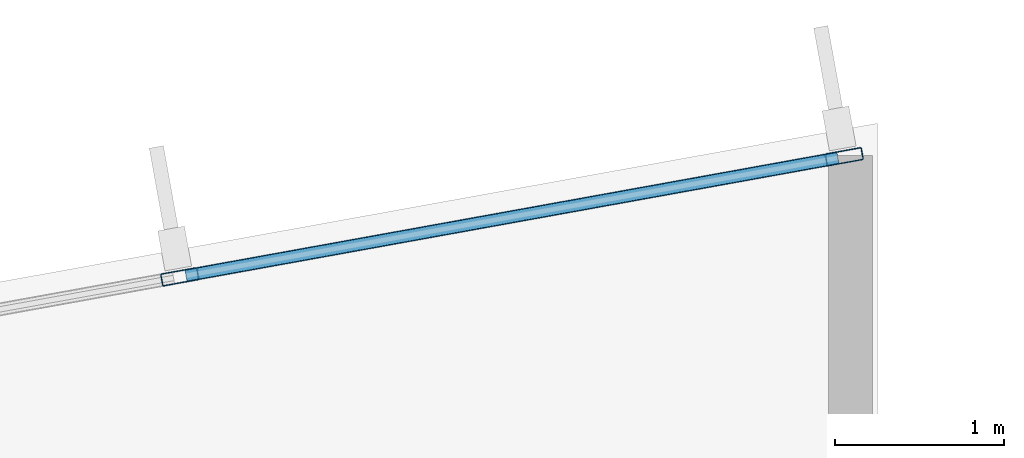
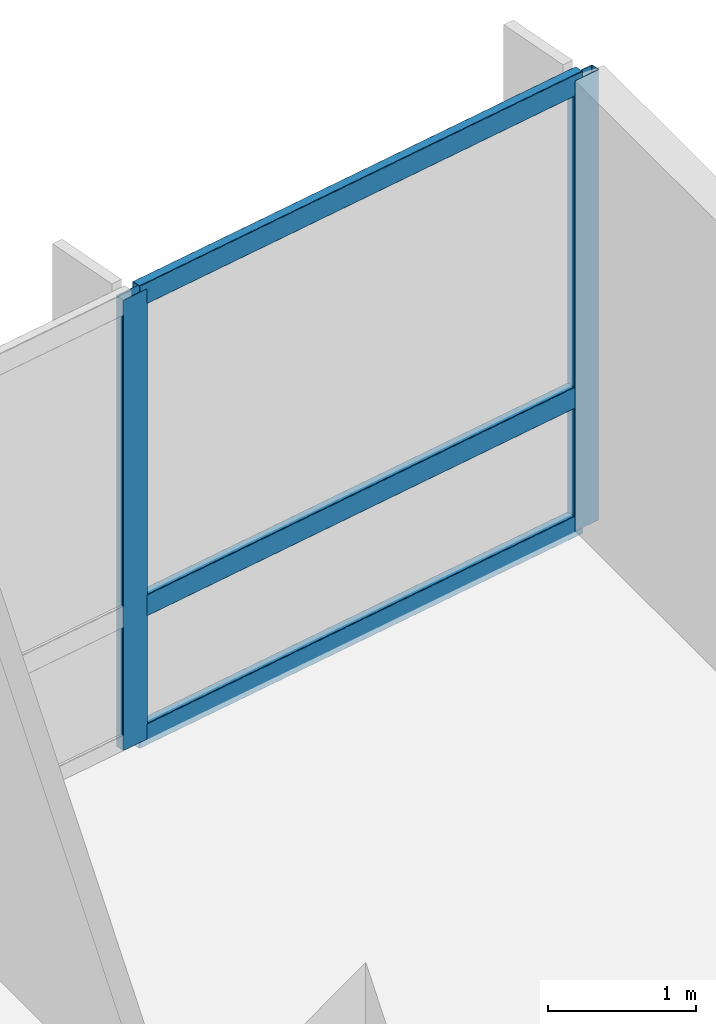
# One storey, part 11 of 20: 5 members, 1 element without a shape of its own.
"""IFC4 building model written with IfcOpenShell, lengths in metres."""

import ifcopenshell
import ifcopenshell.guid

model = None  # the IFC model being written
_history = None  # IfcOwnerHistory: only IFC2X3 demands one
_inside = {}  # id of a spatial element -> (the spatial element, [elements in it])
_under = {}  # id of a project, library or spatial element -> (it, [spatial elements below it])
_declared = {}  # id of a project -> (the project, [libraries it declares])
_typed = {}  # id of a type object -> (the type object, [elements of that type])
_made_of = {}  # id of a material, layer set ... -> (it, [elements and type objects made of it])


def new_model(schema):
    """Start an empty IFC model of exactly this schema.

    Asked for "IFC4X3", IfcOpenShell would pick the latest addendum, in which some entities
    have other attributes; the version numbers below select the first issue.
    IFC2X3 requires an IfcOwnerHistory on every rooted entity: one is made here for all.
    """
    global model, _history
    if schema == "IFC4X3":
        model = ifcopenshell.file(schema_version=(4, 3, 0, 0))
    else:
        model = ifcopenshell.file(schema=schema)
    _inside.clear()
    _under.clear()
    _declared.clear()
    _typed.clear()
    _made_of.clear()
    _history = None
    if model.schema == "IFC2X3":
        org = make("IfcOrganization", Name="unknown")
        user = make(
            "IfcPersonAndOrganization",
            ThePerson=make("IfcPerson", FamilyName="unknown"),
            TheOrganization=org,
        )
        app = make(
            "IfcApplication",
            ApplicationDeveloper=org,
            Version="unknown",
            ApplicationFullName="unknown",
            ApplicationIdentifier="unknown",
        )
        _history = make(
            "IfcOwnerHistory",
            OwningUser=user,
            OwningApplication=app,
            ChangeAction="ADDED",
            CreationDate=0,
        )
    return model


def make(cls, **values):
    """One entity of the class cls with the attributes given. An attribute that is None is left unset."""
    return model.create_entity(
        cls, **{name: value for name, value in values.items() if value is not None}
    )


def rooted(cls, **values):
    """An entity with a GlobalId (a new one), such as an element, a storey or a relation."""
    return make(cls, GlobalId=ifcopenshell.guid.new(), OwnerHistory=_history, **values)


def si_unit(unit_type, name, prefix=None):
    """IfcSIUnit, for example si_unit("LENGTHUNIT", "METRE", prefix="MILLI")."""
    return make("IfcSIUnit", UnitType=unit_type, Prefix=prefix, Name=name)


def assignment(units):
    """IfcUnitAssignment: the units of a project."""
    return None if units is None else make("IfcUnitAssignment", Units=units)


def point(xyz):
    """IfcCartesianPoint."""
    return None if xyz is None else make("IfcCartesianPoint", Coordinates=xyz)


def direction(xyz):
    """IfcDirection."""
    return None if xyz is None else make("IfcDirection", DirectionRatios=xyz)


def frame(location, z_axis=None, x_axis=None):
    """IfcAxis2Placement3D, a coordinate frame: its origin and axes. An axis left out is left unset."""
    return make(
        "IfcAxis2Placement3D",
        Location=point(location),
        Axis=direction(z_axis),
        RefDirection=direction(x_axis),
    )


def frame_2d(location, x_axis=None):
    """IfcAxis2Placement2D, a coordinate frame in the plane: its origin and x axis."""
    return make(
        "IfcAxis2Placement2D", Location=point(location), RefDirection=direction(x_axis)
    )


def origin():
    """The frame at (0, 0, 0) with its axes left unset."""
    return frame((0.0, 0.0, 0.0))


def origin_2d():
    """The frame at (0, 0) in the plane with its x axis left unset."""
    return frame_2d((0.0, 0.0))


def place(relative_to, where):
    """IfcLocalPlacement: puts the frame where relative to a parent placement (None: the world)."""
    return make(
        "IfcLocalPlacement", PlacementRelTo=relative_to, RelativePlacement=where
    )


def context(
    kind, dimensions, precision=None, world=None, true_north=None, identifier=None
):
    """IfcGeometricRepresentationContext, for example the 3D "Model" context."""
    return make(
        "IfcGeometricRepresentationContext",
        ContextIdentifier=identifier,
        ContextType=kind,
        CoordinateSpaceDimension=dimensions,
        Precision=precision,
        WorldCoordinateSystem=world,
        TrueNorth=true_north,
    )


def subcontext(parent, identifier, kind, view, scale=None):
    """IfcGeometricRepresentationSubContext, for example "Body" below "Model"."""
    return make(
        "IfcGeometricRepresentationSubContext",
        ContextIdentifier=identifier,
        ContextType=kind,
        ParentContext=parent,
        TargetScale=scale,
        TargetView=view,
    )


def project(units=None, contexts=None):
    """IfcProject with its units and contexts."""
    return rooted(
        "IfcProject",
        Name="project",
        RepresentationContexts=contexts,
        UnitsInContext=assignment(units),
    )


def spatial(cls, under=None, at=None, **own):
    """A site, building, storey or space (cls), placed at a placement, below another one or the project."""
    s = rooted(cls, ObjectPlacement=at, **own)
    if under is not None:
        _under.setdefault(under.id(), (under, []))[1].append(s)
    return s


def profile(cls, at=None, kind="AREA", **sizes):
    """A parametric profile (cls). Its sizes go by their IFC names, for example OverallWidth=200.0."""
    return make(cls, ProfileType=kind, Position=at, **sizes)


def hollow_rectangle(**sizes):
    """IfcRectangleHollowProfileDef."""
    return profile("IfcRectangleHollowProfileDef", **sizes)


def extrude(swept, where, along, depth):
    """IfcExtrudedAreaSolid: the profile swept, set in the frame where, extruded along a direction by depth."""
    return make(
        "IfcExtrudedAreaSolid",
        SweptArea=swept,
        Position=where,
        ExtrudedDirection=direction(along),
        Depth=depth,
    )


def shape(context_of_items, identifier, shape_type, items):
    """IfcShapeRepresentation: the items that make up one representation, for example the "Body"."""
    return make(
        "IfcShapeRepresentation",
        ContextOfItems=context_of_items,
        RepresentationIdentifier=identifier,
        RepresentationType=shape_type,
        Items=items,
    )


def material(Name=None, Category=None):
    """IfcMaterial."""
    return make("IfcMaterial", Name=Name, Category=Category)


def layer(
    of_material, thickness, ventilated=None, Name=None, Category=None, Priority=None
):
    """IfcMaterialLayer: one layer of a wall or slab, of a material (None: an air gap)."""
    return make(
        "IfcMaterialLayer",
        Material=of_material,
        LayerThickness=thickness,
        IsVentilated=ventilated,
        Name=Name,
        Category=Category,
        Priority=Priority,
    )


def layer_set(layers, Name=None):
    """IfcMaterialLayerSet."""
    return make("IfcMaterialLayerSet", MaterialLayers=layers, LayerSetName=Name)


def material_profile(
    of_material, cross_section, Name=None, Category=None, Priority=None
):
    """IfcMaterialProfile: a cross section and its material."""
    return make(
        "IfcMaterialProfile",
        Name=Name,
        Material=of_material,
        Profile=cross_section,
        Priority=Priority,
        Category=Category,
    )


def profile_set(profiles, Name=None, composite=None):
    """IfcMaterialProfileSet."""
    return make(
        "IfcMaterialProfileSet",
        Name=Name,
        MaterialProfiles=profiles,
        CompositeProfile=composite,
    )


def made_of(thing, what):
    """Note that an element or type object is made of a material, layer set ...; save() writes the relation."""
    if what is not None:
        _made_of.setdefault(what.id(), (what, []))[1].append(thing)
    return thing


def type_object(cls, material=None, **own):
    """A type object (cls), such as IfcWallType, which elements share."""
    return made_of(rooted(cls, **own), material)


def element(
    cls,
    number,
    at=None,
    inside=None,
    cuts=None,
    type_object=None,
    material=None,
    context=None,
    identifier="Body",
    shape_type=None,
    held_by="IfcProductDefinitionShape",
    body=None,
    shapes=None,
    **own,
):
    """One element of the class cls, such as IfcWall. Its Tag is "e" and its number.

    at: its placement. inside: the storey or other place that contains it. cuts: it is an
    opening in that element (IfcRelVoidsElement). A single representation is given by context,
    identifier, shape_type and body (its items); several are given by shapes. held_by: the class
    of the entity that holds the representations. save() writes the other relations.
    """
    e = rooted(cls, Tag="e%d" % number, ObjectPlacement=at, **own)
    if body is not None:
        shapes = [shape(context, identifier, shape_type, body)]
    if shapes is not None:
        e.Representation = make(held_by, Representations=shapes)
    if inside is not None:
        _inside.setdefault(inside.id(), (inside, []))[1].append(e)
    if cuts is not None:
        rooted(
            "IfcRelVoidsElement", RelatingBuildingElement=cuts, RelatedOpeningElement=e
        )
    if type_object is not None:
        _typed.setdefault(type_object.id(), (type_object, []))[1].append(e)
    return made_of(e, material)


def aggregate(whole, parts):
    """IfcRelAggregates: a whole, such as a stair, and the parts it consists of."""
    return rooted("IfcRelAggregates", RelatingObject=whole, RelatedObjects=parts)


def save(model, path):
    """Write the relations noted so far, then the file.

    IfcRelAggregates (storeys below a building ...), IfcRelContainedInSpatialStructure (elements
    in a storey), IfcRelDefinesByType, IfcRelAssociatesMaterial and IfcRelDeclares: one each for
    every whole, place, type object, material and project.
    """
    for whole, parts in _under.values():
        aggregate(whole, parts)
    for where, things in _inside.values():
        rooted(
            "IfcRelContainedInSpatialStructure",
            RelatedElements=things,
            RelatingStructure=where,
        )
    for kind, things in _typed.values():
        rooted("IfcRelDefinesByType", RelatedObjects=things, RelatingType=kind)
    for what, things in _made_of.values():
        rooted("IfcRelAssociatesMaterial", RelatedObjects=things, RelatingMaterial=what)
    for by, libraries in _declared.values():
        rooted("IfcRelDeclares", RelatingContext=by, RelatedDefinitions=libraries)
    model.write(path)


model = new_model("IFC4")

# Units and contexts
model_context = context("Model", 3, precision=1e-05, world=origin(), true_north=direction((0.0, 1.0)))
body_context = subcontext(model_context, "Body", "Model", "MODEL_VIEW")
ifc_project = project(units=[si_unit("LENGTHUNIT", "METRE"), si_unit("AREAUNIT", "SQUARE_METRE"), si_unit("VOLUMEUNIT", "CUBIC_METRE"), si_unit("PLANEANGLEUNIT", "RADIAN"), si_unit("MASSUNIT", "GRAM", prefix="KILO")], contexts=[model_context])

# Site, building, storey
site_placement = place(None, origin())
site = spatial("IfcSite", under=ifc_project, at=site_placement, CompositionType="ELEMENT")
building_placement = place(site_placement, origin())
building = spatial("IfcBuilding", under=site, at=building_placement, Name="Varnakote Quay Hospital", CompositionType="ELEMENT")
storey_placement = place(building_placement, frame((0.0, 0.0, 46.199951171875)))
storey = spatial("IfcBuildingStorey", under=building, at=storey_placement, Name="L11", CompositionType="ELEMENT", Elevation=46.199951171875)

# Curtain wall, members
ifc_material_1 = material(Name="Anodised aluminium 6063-T6 Bronze", Category="aluminium")
ifc_layer = layer(ifc_material_1, 0.18994140625)
ifc_layer_set = layer_set([ifc_layer], Name="Anodised aluminium 6063-T6 Bronze")
curtain_wall_type = type_object("IfcCurtainWallType", Name="CW-SYS-2", PredefinedType="NOTDEFINED", material=ifc_layer_set)
curtain_wall_placement = place(storey_placement, origin())
curtain_wall = element("IfcCurtainWall", 1, at=curtain_wall_placement, inside=storey, type_object=curtain_wall_type, Name="L11 Unitised Bronze Curtain Wall 2", PredefinedType="NOTDEFINED")
ifc_material_2 = material(Name="Anodised aluminium 6063-T6 Bronze", Category="aluminium")
ifc_material_profile_1 = material_profile(ifc_material_2, hollow_rectangle(XDim=0.074951171875, YDim=0.219970703125, WallThickness=0.00439453125, InnerFilletRadius=0.00439453125, OuterFilletRadius=0.009033203125, at=origin_2d()), Name="CW-MULL-220x75")
ifc_profile_set_1 = profile_set([ifc_material_profile_1], Name="Anodised aluminium 6063-T6 Bronze")
member_type_1 = type_object("IfcMemberType", Name="CW-MULL-220x75", PredefinedType="MULLION", material=ifc_profile_set_1)
member_1_placement = place(storey_placement, frame((55.403076171875, 34.201904296875, 0.0), z_axis=(0.0, 0.0, 1.0), x_axis=(0.177846199098, -0.984058295766, 0.0)))
member_1 = element("IfcMember", 2, at=member_1_placement, type_object=member_type_1, Name="-2-L11-2 mullion 1", PredefinedType="MULLION", context=body_context, shape_type="SweptSolid", body=[
    extrude(hollow_rectangle(XDim=0.074951171875, YDim=0.219970703125, WallThickness=0.00439453125, InnerFilletRadius=0.00439453125, OuterFilletRadius=0.009033203125, at=origin_2d()), origin(), (0.0, 0.0, 1.0), 3.7099609375),
])
member_2_placement = place(storey_placement, frame((51.477294921875, 33.492431640625, 0.0), z_axis=(0.0, 0.0, 1.0), x_axis=(0.177846199098, -0.984058295766, 0.0)))
member_2 = element("IfcMember", 3, at=member_2_placement, type_object=member_type_1, Name="-2-L11-2 mullion 2", PredefinedType="MULLION", context=body_context, shape_type="SweptSolid", body=[
    extrude(hollow_rectangle(XDim=0.074951171875, YDim=0.219970703125, WallThickness=0.00439453125, InnerFilletRadius=0.00439453125, OuterFilletRadius=0.009033203125, at=origin_2d()), origin(), (0.0, 0.0, 1.0), 3.7099609375),
])
ifc_material_3 = material(Name="Anodised aluminium 6063-T6 Bronze", Category="aluminium")
ifc_material_profile_2 = material_profile(ifc_material_3, hollow_rectangle(XDim=0.074951171875, YDim=0.179931640625, WallThickness=0.004150390625, InnerFilletRadius=0.004150390625, OuterFilletRadius=0.00830078125, at=origin_2d()), Name="CW-TRAN-180x75")
ifc_profile_set_2 = profile_set([ifc_material_profile_2], Name="Anodised aluminium 6063-T6 Bronze")
member_type_2 = type_object("IfcMemberType", Name="CW-TRAN-180x75", PredefinedType="USERDEFINED", material=ifc_profile_set_2)
member_3_placement = place(storey_placement, frame((55.3662109375, 34.195068359375, 0.03759765625), z_axis=(-0.984061948229, -0.177825988109, 0.0), x_axis=(0.177825988109, -0.984061948229, 0.0)))
member_3 = element("IfcMember", 4, at=member_3_placement, type_object=member_type_2, Name="-2-L11-2 transom 1.1", ObjectType="TRANSOM", PredefinedType="USERDEFINED", context=body_context, shape_type="SweptSolid", body=[
    extrude(hollow_rectangle(XDim=0.074951171875, YDim=0.179931640625, WallThickness=0.004150390625, InnerFilletRadius=0.004150390625, OuterFilletRadius=0.00830078125, at=origin_2d()), origin(), (0.0, 0.0, 1.0), 3.914306640625),
])
member_4_placement = place(storey_placement, frame((55.3662109375, 34.195068359375, 1.10009765625), z_axis=(-0.984061948229, -0.177825988109, 0.0), x_axis=(0.177825988109, -0.984061948229, 0.0)))
member_4 = element("IfcMember", 5, at=member_4_placement, type_object=member_type_2, Name="-2-L11-2 transom 1.2", ObjectType="TRANSOM", PredefinedType="USERDEFINED", context=body_context, shape_type="SweptSolid", body=[
    extrude(hollow_rectangle(XDim=0.074951171875, YDim=0.179931640625, WallThickness=0.004150390625, InnerFilletRadius=0.004150390625, OuterFilletRadius=0.00830078125, at=origin_2d()), origin(), (0.0, 0.0, 1.0), 3.914306640625),
])
member_5_placement = place(storey_placement, frame((55.3662109375, 34.195068359375, 3.672607421875), z_axis=(-0.984061948229, -0.177825988109, 0.0), x_axis=(0.177825988109, -0.984061948229, 0.0)))
member_5 = element("IfcMember", 6, at=member_5_placement, type_object=member_type_2, Name="-2-L11-2 transom 1.3", ObjectType="TRANSOM", PredefinedType="USERDEFINED", context=body_context, shape_type="SweptSolid", body=[
    extrude(hollow_rectangle(XDim=0.074951171875, YDim=0.179931640625, WallThickness=0.004150390625, InnerFilletRadius=0.004150390625, OuterFilletRadius=0.00830078125, at=origin_2d()), origin(), (0.0, 0.0, 1.0), 3.914306640625),
])
aggregate(curtain_wall, [member_1, member_2, member_3, member_4, member_5])

save(model, "model.ifc")
